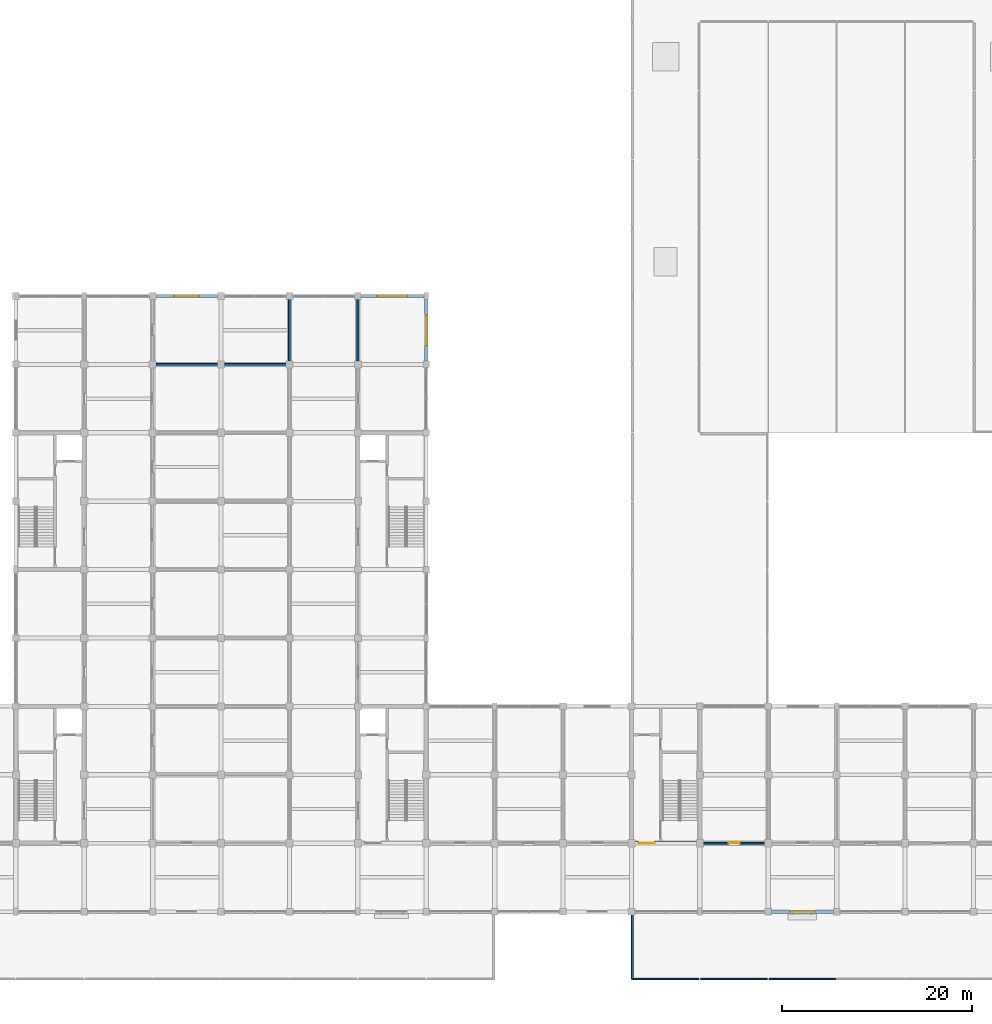
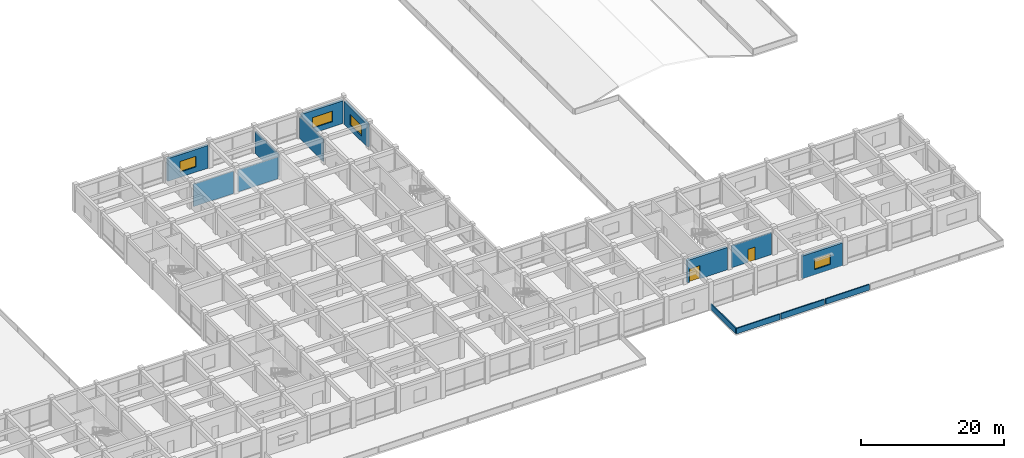
# One storey, part 24 of 30: 14 walls, 4 windows, 2 doors, 6 openings.
"""IFC4 building model written with IfcOpenShell, lengths in metres."""

from ifc_helpers import new_model, si_unit, direction, frame, frame_2d, origin, place, context, subcontext, project, spatial, rectangle, extrude, material, layer, layer_set, type_object, element, fill, save


model = new_model("IFC4")

# Units and contexts
model_context = context("Model", 3, precision=1e-05, world=origin(), true_north=direction((0.0, 1.0)))
body_context = subcontext(model_context, "Body", "Model", "MODEL_VIEW")
ifc_project = project(units=[si_unit("LENGTHUNIT", "METRE"), si_unit("AREAUNIT", "SQUARE_METRE"), si_unit("VOLUMEUNIT", "CUBIC_METRE"), si_unit("PLANEANGLEUNIT", "RADIAN"), si_unit("MASSUNIT", "GRAM", prefix="KILO")], contexts=[model_context])

# Site, building, storey
site_placement = place(None, origin())
site = spatial("IfcSite", under=ifc_project, at=site_placement, CompositionType="ELEMENT")
building_placement = place(site_placement, origin())
building = spatial("IfcBuilding", under=site, at=building_placement, Name="Cendaluz Park School", CompositionType="ELEMENT")
storey_placement = place(building_placement, frame((0.0, 0.0, 9.60009765625)))
storey = spatial("IfcBuildingStorey", under=building, at=storey_placement, Name="L02", CompositionType="ELEMENT", Elevation=9.60009765625)

# Walls
ifc_material_1 = material(Name="Gypsum Plasterboard on Cold-Formed Stud", Category="gypsum")
ifc_layer_1 = layer(ifc_material_1, 0.199951171875)
ifc_layer_set_1 = layer_set([ifc_layer_1], Name="Gypsum Plasterboard on Cold-Formed Stud")
wall_type_1 = type_object("IfcWallType", Name="W-AC20", PredefinedType="PARTITIONING", material=ifc_layer_set_1)
wall_1_placement = place(storey_placement, frame((79.574951171875, 64.800048828125, 0.0), z_axis=(0.0, 0.0, 1.0), x_axis=(1.0, 0.0, 0.0)))
element("IfcWall", 1, at=wall_1_placement, inside=storey, type_object=wall_type_1, Name="WL-FC-BX6", PredefinedType="PARTITIONING", context=body_context, shape_type="SweptSolid", body=[
    extrude(rectangle(XDim=6.449951171875, YDim=0.199951171875, at=frame_2d((3.22509765625, 0.0))), origin(), (0.0, 0.0, 1.0), 3.809814453125),
])
wall_2_placement = place(storey_placement, frame((86.77490234375, 64.800048828125, 0.0), z_axis=(0.0, 0.0, 1.0), x_axis=(1.0, 0.0, 0.0)))
element("IfcWall", 2, at=wall_2_placement, inside=storey, type_object=wall_type_1, Name="WL-FC-BX9", PredefinedType="PARTITIONING", context=body_context, shape_type="SweptSolid", body=[
    extrude(rectangle(XDim=6.4501953125, YDim=0.199951171875, at=frame_2d((3.22509765625, 0.0))), origin(), (0.0, 0.0, 1.0), 3.739990234375),
])
wall_3_placement = place(storey_placement, frame((93.60009765625, 65.175048828125, 0.0), z_axis=(0.0, 0.0, 1.0), x_axis=(0.0, 1.0, 0.0)))
element("IfcWall", 3, at=wall_3_placement, inside=storey, type_object=wall_type_1, Name="WL-FC-BY2", PredefinedType="PARTITIONING", context=body_context, shape_type="SweptSolid", body=[
    extrude(rectangle(XDim=6.474853515625, YDim=0.199951171875, at=frame_2d((3.2373046875, 0.0))), origin(), (0.0, 0.0, 1.0), 3.739990234375),
])

# Wall, opening, door
wall_4_placement = place(storey_placement, frame((137.175048828125, 14.39990234375, 0.0), z_axis=(0.0, 0.0, 1.0), x_axis=(1.0, 0.0, 0.0)))
wall_4 = element("IfcWall", 4, at=wall_4_placement, inside=storey, type_object=wall_type_1, Name="WL-FC-CB0", PredefinedType="PARTITIONING", context=body_context, shape_type="SweptSolid", body=[
    extrude(rectangle(XDim=6.449951171875, YDim=0.199951171875, at=frame_2d((3.22509765625, 0.0))), origin(), (0.0, 0.0, 1.0), 3.739990234375),
])
opening_1_placement = place(wall_4_placement, frame((2.64501953125, 0.0, 0.0)))
opening_1 = element("IfcOpeningElement", 5, at=opening_1_placement, cuts=wall_4, Name="Opening DCL-07", PredefinedType="OPENING", context=body_context, shape_type="SweptSolid", body=[
    extrude(rectangle(XDim=1.159912109375, YDim=2.219970703125, at=frame_2d((0.580078125, 1.10986328125))), frame((0.0, 0.112060546875, 0.0), z_axis=(0.0, -1.0, 0.0), x_axis=(1.0, 0.0, 0.0)), (0.0, 0.0, 1.0), 0.223876953125),
])
ifc_material_2 = material(Name="Solid Core Hardwood", Category="wood")
door_type_1 = type_object("IfcDoorType", Name="DCL-07", OperationType="NOTDEFINED", PredefinedType="DOOR", material=ifc_material_2)
door_1_placement = place(opening_1_placement, origin())
door_1 = element("IfcDoor", 6, at=door_1_placement, inside=storey, type_object=door_type_1, Name="D-L02-040", OperationType="SINGLE_SWING_RIGHT", OverallHeight=2.219970703125, OverallWidth=1.159912109375, PredefinedType="DOOR", context=body_context, shape_type="SweptSolid", body=[
    extrude(rectangle(XDim=1.159912109375, YDim=2.219970703125, at=frame_2d((0.580078125, 1.10986328125))), frame((0.0, 0.02490234375, 0.0), z_axis=(0.0, -1.0, 0.0), x_axis=(1.0, 0.0, 0.0)), (0.0, 0.0, 1.0), 0.050048828125),
])
fill(opening_1, door_1)

# Wall
wall_5_placement = place(storey_placement, frame((100.800048828125, 65.175048828125, 0.0), z_axis=(0.0, 0.0, 1.0), x_axis=(0.0, 1.0, 0.0)))
element("IfcWall", 7, at=wall_5_placement, inside=storey, type_object=wall_type_1, Name="WL-FC-CF4", PredefinedType="PARTITIONING", context=body_context, shape_type="SweptSolid", body=[
    extrude(rectangle(XDim=6.474853515625, YDim=0.199951171875, at=frame_2d((3.2373046875, 0.0))), origin(), (0.0, 0.0, 1.0), 3.739990234375),
])

# Wall, opening, window
ifc_material_3 = material(Name="Concrete C40/50 precast", Category="concrete")
ifc_layer_2 = layer(ifc_material_3, 0.360107421875)
ifc_layer_set_2 = layer_set([ifc_layer_2], Name="Concrete C40/50 precast")
wall_type_2 = type_object("IfcWallType", Name="W-EX36", PredefinedType="SOLIDWALL", material=ifc_layer_set_2)
wall_6_placement = place(storey_placement, frame((79.550048828125, 72.0, 0.0), z_axis=(0.0, 0.0, 1.0), x_axis=(1.0, 0.0, 0.0)))
wall_6 = element("IfcWall", 8, at=wall_6_placement, inside=storey, type_object=wall_type_2, Name="WL-FC-AA8", PredefinedType="SOLIDWALL", context=body_context, shape_type="SweptSolid", body=[
    extrude(rectangle(XDim=6.5, YDim=0.360107421875, at=frame_2d((3.25, 0.0))), origin(), (0.0, 0.0, 1.0), 3.8798828125),
])
opening_2_placement = place(wall_6_placement, frame((1.949951171875, 0.0, 0.89990234375)))
opening_2 = element("IfcOpeningElement", 9, at=opening_2_placement, cuts=wall_6, Name="Opening WN-05", PredefinedType="OPENING", context=body_context, shape_type="SweptSolid", body=[
    extrude(rectangle(XDim=2.60009765625, YDim=1.800048828125, at=frame_2d((1.300048828125, 0.89990234375))), frame((0.0, 0.192138671875, 0.0), z_axis=(0.0, -1.0, 0.0), x_axis=(1.0, 0.0, 0.0)), (0.0, 0.0, 1.0), 0.384033203125),
])
ifc_material_4 = material(Name="Tempered Low-E Double Glazing", Category="glass")
window_type_1 = type_object("IfcWindowType", Name="WN-05", PartitioningType="SINGLE_PANEL", PredefinedType="WINDOW", material=ifc_material_4)
window_1_placement = place(opening_2_placement, origin())
window_1 = element("IfcWindow", 10, at=window_1_placement, inside=storey, type_object=window_type_1, Name="WN-L02-009", OverallHeight=1.800048828125, OverallWidth=2.60009765625, PartitioningType="SINGLE_PANEL", PredefinedType="WINDOW", context=body_context, shape_type="SweptSolid", body=[
    extrude(rectangle(XDim=2.60009765625, YDim=1.800048828125, at=frame_2d((1.300048828125, 0.89990234375))), frame((0.0, 0.030029296875, 0.0), z_axis=(0.0, -1.0, 0.0), x_axis=(1.0, 0.0, 0.0)), (0.0, 0.0, 1.0), 0.06005859375),
])
fill(opening_2, window_1)

wall_7_placement = place(storey_placement, frame((101.14990234375, 72.0, 0.0), z_axis=(0.0, 0.0, 1.0), x_axis=(1.0, 0.0, 0.0)))
wall_7 = element("IfcWall", 11, at=wall_7_placement, inside=storey, type_object=wall_type_2, Name="WL-FC-AB0", PredefinedType="SOLIDWALL", context=body_context, shape_type="SweptSolid", body=[
    extrude(rectangle(XDim=6.60009765625, YDim=0.360107421875, at=frame_2d((3.300048828125, 0.0))), origin(), (0.0, 0.0, 1.0), 3.8798828125),
])
opening_3_placement = place(wall_7_placement, frame((1.699951171875, 0.0, 0.89990234375)))
opening_3 = element("IfcOpeningElement", 12, at=opening_3_placement, cuts=wall_7, Name="Opening WN-08", PredefinedType="OPENING", context=body_context, shape_type="SweptSolid", body=[
    extrude(rectangle(XDim=3.199951171875, YDim=1.800048828125, at=frame_2d((1.60009765625, 0.89990234375))), frame((0.0, 0.192138671875, 0.0), z_axis=(0.0, -1.0, 0.0), x_axis=(1.0, 0.0, 0.0)), (0.0, 0.0, 1.0), 0.384033203125),
])
window_type_2 = type_object("IfcWindowType", Name="WN-08", PartitioningType="SINGLE_PANEL", PredefinedType="WINDOW", material=ifc_material_4)
window_2_placement = place(opening_3_placement, origin())
window_2 = element("IfcWindow", 13, at=window_2_placement, inside=storey, type_object=window_type_2, Name="WN-L02-011", OverallHeight=1.800048828125, OverallWidth=3.199951171875, PartitioningType="SINGLE_PANEL", PredefinedType="WINDOW", context=body_context, shape_type="SweptSolid", body=[
    extrude(rectangle(XDim=3.199951171875, YDim=1.800048828125, at=frame_2d((1.60009765625, 0.89990234375))), frame((0.0, 0.030029296875, 0.0), z_axis=(0.0, -1.0, 0.0), x_axis=(1.0, 0.0, 0.0)), (0.0, 0.0, 1.0), 0.06005859375),
])
fill(opening_3, window_2)

wall_8_placement = place(storey_placement, frame((108.0, 65.14990234375, 0.0), z_axis=(0.0, 0.0, 1.0), x_axis=(0.0, 1.0, 0.0)))
wall_8 = element("IfcWall", 14, at=wall_8_placement, inside=storey, type_object=wall_type_2, Name="WL-FC-AB1", PredefinedType="SOLIDWALL", context=body_context, shape_type="SweptSolid", body=[
    extrude(rectangle(XDim=6.47509765625, YDim=0.360107421875, at=frame_2d((3.237548828125, 0.0))), origin(), (0.0, 0.0, 1.0), 3.8798828125),
])
opening_4_placement = place(wall_8_placement, frame((1.637451171875, 0.0, 0.89990234375)))
opening_4 = element("IfcOpeningElement", 15, at=opening_4_placement, cuts=wall_8, Name="Opening WN-08", PredefinedType="OPENING", context=body_context, shape_type="SweptSolid", body=[
    extrude(rectangle(XDim=3.199951171875, YDim=1.800048828125, at=frame_2d((1.60009765625, 0.89990234375))), frame((0.0, 0.192138671875, 0.0), z_axis=(0.0, -1.0, 0.0), x_axis=(1.0, 0.0, 0.0)), (0.0, 0.0, 1.0), 0.384033203125),
])
window_3_placement = place(opening_4_placement, origin())
window_3 = element("IfcWindow", 16, at=window_3_placement, inside=storey, type_object=window_type_2, Name="WN-L02-012", OverallHeight=1.800048828125, OverallWidth=3.199951171875, PartitioningType="SINGLE_PANEL", PredefinedType="WINDOW", context=body_context, shape_type="SweptSolid", body=[
    extrude(rectangle(XDim=3.199951171875, YDim=1.800048828125, at=frame_2d((1.60009765625, 0.89990234375))), frame((0.0, 0.030029296875, 0.0), z_axis=(0.0, -1.0, 0.0), x_axis=(1.0, 0.0, 0.0)), (0.0, 0.0, 1.0), 0.06005859375),
])
fill(opening_4, window_3)

wall_9_placement = place(storey_placement, frame((144.35009765625, 7.199951171875, 0.0), z_axis=(0.0, 0.0, 1.0), x_axis=(1.0, 0.0, 0.0)))
wall_9 = element("IfcWall", 17, at=wall_9_placement, inside=storey, type_object=wall_type_2, Name="WL-FC-AB4", PredefinedType="SOLIDWALL", context=body_context, shape_type="SweptSolid", body=[
    extrude(rectangle(XDim=6.5, YDim=0.360107421875, at=frame_2d((3.25, 0.0))), origin(), (0.0, 0.0, 1.0), 3.8798828125),
])
opening_5_placement = place(wall_9_placement, frame((1.949951171875, 0.0, 0.89990234375)))
opening_5 = element("IfcOpeningElement", 18, at=opening_5_placement, cuts=wall_9, Name="Opening WN-05", PredefinedType="OPENING", context=body_context, shape_type="SweptSolid", body=[
    extrude(rectangle(XDim=2.60009765625, YDim=1.800048828125, at=frame_2d((1.300048828125, 0.89990234375))), frame((0.0, 0.192138671875, 0.0), z_axis=(0.0, -1.0, 0.0), x_axis=(1.0, 0.0, 0.0)), (0.0, 0.0, 1.0), 0.384033203125),
])
window_4_placement = place(opening_5_placement, origin())
window_4 = element("IfcWindow", 19, at=window_4_placement, inside=storey, type_object=window_type_1, Name="WN-L02-015", OverallHeight=1.800048828125, OverallWidth=2.60009765625, PartitioningType="SINGLE_PANEL", PredefinedType="WINDOW", context=body_context, shape_type="SweptSolid", body=[
    extrude(rectangle(XDim=2.60009765625, YDim=1.800048828125, at=frame_2d((1.300048828125, 0.89990234375))), frame((0.0, 0.030029296875, 0.0), z_axis=(0.0, -1.0, 0.0), x_axis=(1.0, 0.0, 0.0)), (0.0, 0.0, 1.0), 0.06005859375),
])
fill(opening_5, window_4)

# Walls
ifc_layer_3 = layer(ifc_material_3, 0.179931640625)
ifc_layer_set_3 = layer_set([ifc_layer_3], Name="Concrete C40/50 precast")
wall_type_3 = type_object("IfcWallType", Name="W-PR18", PredefinedType="PARAPET", material=ifc_layer_set_3)
for number, where, z_axis, x_axis, name in (
    (20, (129.68994140625, 0.090087890625, 0.0), (0.0, 0.0, 1.0), (1.0, 0.0, 0.0), "WL-FC-AI5"),
    (21, (129.68994140625, 0.090087890625, 0.0), (0.0, 0.0, 1.0), (0.0, 1.0, 0.0), "WL-FC-AI6"),
    (22, (136.889892578125, 0.090087890625, 0.0), (0.0, 0.0, 1.0), (1.0, 0.0, 0.0), "WL-FC-AK6"),
    (23, (144.090087890625, 0.090087890625, 0.0), (0.0, 0.0, 1.0), (1.0, 0.0, 0.0), "WL-FC-AL4"),
):
    element("IfcWall", number, at=place(storey_placement, frame(where, z_axis=z_axis, x_axis=x_axis)), inside=storey, type_object=wall_type_3, Name=name, PredefinedType="PARAPET", context=body_context, shape_type="SweptSolid", body=[
        extrude(rectangle(XDim=7.02001953125, YDim=0.179931640625, at=frame_2d((3.510009765625, 0.0))), origin(), (0.0, 0.0, 1.0), 0.949951171875),
    ])

# Wall, opening, door
ifc_material_5 = material(Name="Concrete C40/50", Category="concrete")
ifc_layer_4 = layer(ifc_material_5, 0.419921875)
ifc_layer_set_4 = layer_set([ifc_layer_4], Name="Concrete C40/50")
wall_type_4 = type_object("IfcWallType", Name="W-SH42", PredefinedType="SHEAR", material=ifc_layer_set_4)
wall_10_placement = place(storey_placement, frame((129.97509765625, 14.39990234375, 0.0), z_axis=(0.0, 0.0, 1.0), x_axis=(1.0, 0.0, 0.0)))
wall_10 = element("IfcWall", 24, at=wall_10_placement, inside=storey, type_object=wall_type_4, Name="WL-FC-BX0", PredefinedType="SHEAR", context=body_context, shape_type="SweptSolid", body=[
    extrude(rectangle(XDim=6.449951171875, YDim=0.419921875, at=frame_2d((3.22509765625, 0.0))), origin(), (0.0, 0.0, 1.0), 3.809814453125),
])
opening_6_placement = place(wall_10_placement, frame((0.35498046875, 0.0, 0.0)))
opening_6 = element("IfcOpeningElement", 25, at=opening_6_placement, cuts=wall_10, Name="Opening DLB-02", PredefinedType="OPENING", context=body_context, shape_type="SweptSolid", body=[
    extrude(rectangle(XDim=1.699951171875, YDim=2.25, at=frame_2d((0.85009765625, 1.125))), frame((0.0, 0.221923828125, 0.0), z_axis=(0.0, -1.0, 0.0), x_axis=(1.0, 0.0, 0.0)), (0.0, 0.0, 1.0), 0.44384765625),
])
door_type_2 = type_object("IfcDoorType", Name="DLB-02", OperationType="DOUBLE_DOOR_SINGLE_SWING", PredefinedType="DOOR", material=ifc_material_2)
door_2_placement = place(opening_6_placement, origin())
door_2 = element("IfcDoor", 26, at=door_2_placement, inside=storey, type_object=door_type_2, Name="D-L02-023", OperationType="DOUBLE_DOOR_SINGLE_SWING", OverallHeight=2.25, OverallWidth=1.699951171875, PredefinedType="DOOR", context=body_context, shape_type="SweptSolid", body=[
    extrude(rectangle(XDim=1.699951171875, YDim=2.25, at=frame_2d((0.85009765625, 1.125))), frame((0.0, 0.02490234375, 0.0), z_axis=(0.0, -1.0, 0.0), x_axis=(1.0, 0.0, 0.0)), (0.0, 0.0, 1.0), 0.050048828125),
])
fill(opening_6, door_2)

save(model, "model.ifc")
